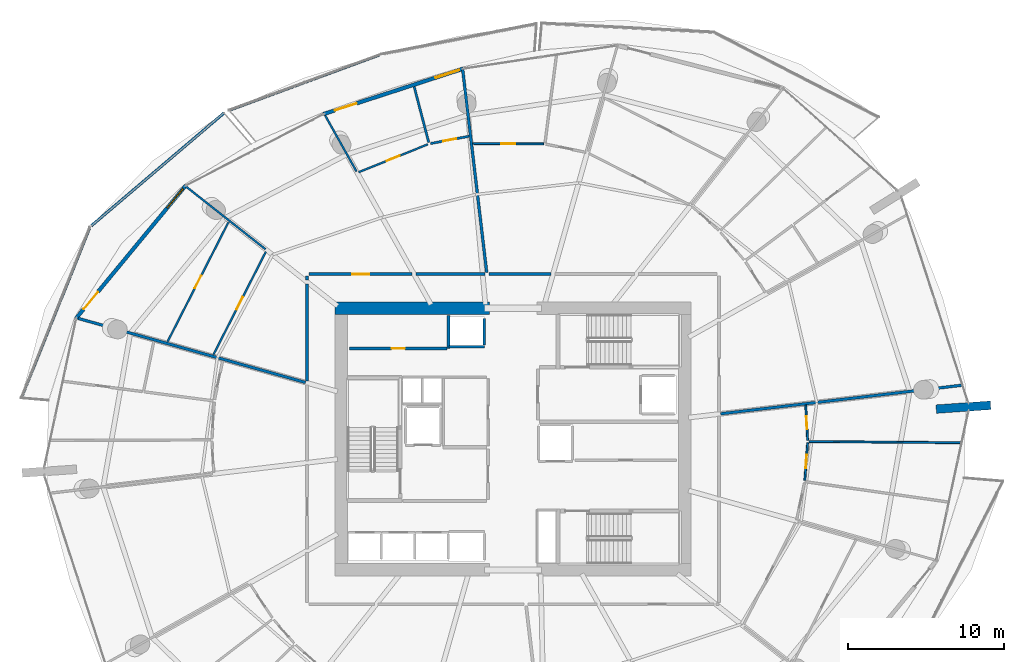
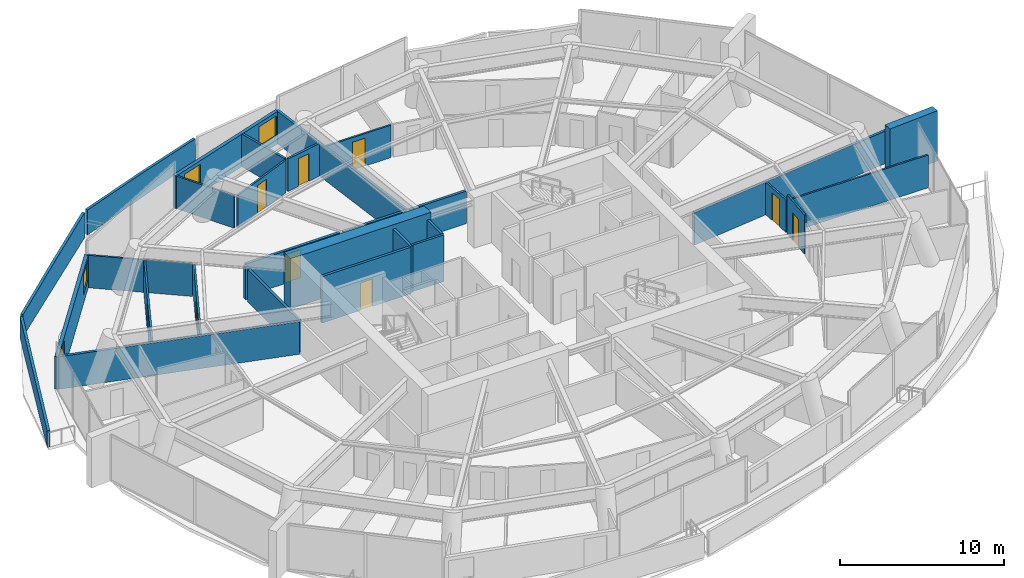
# One storey, part 14 of 23: 30 walls, 11 doors, 2 windows, 13 openings.
"""IFC4 building model written with IfcOpenShell, lengths in metres."""

from ifc_helpers import new_model, si_unit, direction, frame, frame_2d, origin, place, context, subcontext, project, spatial, polyline, rectangle, outline, extrude, material, layer, layer_set, type_object, element, fill, save


model = new_model("IFC4")

# Units and contexts
model_context = context("Model", 3, precision=1e-05, world=origin(), true_north=direction((0.0, 1.0)))
body_context = subcontext(model_context, "Body", "Model", "MODEL_VIEW")
ifc_project = project(units=[si_unit("LENGTHUNIT", "METRE"), si_unit("AREAUNIT", "SQUARE_METRE"), si_unit("VOLUMEUNIT", "CUBIC_METRE"), si_unit("PLANEANGLEUNIT", "RADIAN"), si_unit("MASSUNIT", "GRAM", prefix="KILO")], contexts=[model_context])

# Site, building, storey
site_placement = place(None, origin())
site = spatial("IfcSite", under=ifc_project, at=site_placement, CompositionType="ELEMENT")
building_placement = place(site_placement, origin())
building = spatial("IfcBuilding", under=site, at=building_placement, Name="Kazma Halo Residences", CompositionType="ELEMENT")
storey_placement = place(building_placement, frame((0.0, 0.0, 112.64990234375)))
storey = spatial("IfcBuildingStorey", under=building, at=storey_placement, Name="L28", CompositionType="ELEMENT", Elevation=112.64990234375)

# Walls
ifc_material_1 = material(Name="White Concrete C50/60 Balustrade", Category="concrete")
ifc_layer_1 = layer(ifc_material_1, 0.179931640625)
ifc_layer_set_1 = layer_set([ifc_layer_1], Name="White Concrete C50/60 Balustrade")
wall_type_1 = type_object("IfcWallType", Name="WL-BAL-WAVE-180", PredefinedType="PARAPET", material=ifc_layer_set_1)
wall_1_placement = place(storey_placement, frame((39.8525390625, 66.687255859375, 0.0), z_axis=(0.0, 0.0, 1.0), x_axis=(-0.938356460989, -0.345669136777, 0.0)))
element("IfcWall", 1, at=wall_1_placement, inside=storey, type_object=wall_type_1, Name="L28 white wave balustrade wall NNW.2", PredefinedType="PARAPET", context=body_context, shape_type="SweptSolid", body=[
    extrude(outline(polyline([(0.0, 0.0), (10.3076171875, 0.0), (10.3076171875, 1.860107421875), (5.15380859375, 1.798095703125), (0.0, 1.632080078125), (0.0, 0.0)])), frame((0.0, 0.08984375, 0.0), z_axis=(0.0, -1.0, 0.0), x_axis=(1.0, 0.0, 0.0)), (0.0, 0.0, 1.0), 0.179931640625),
])
wall_2_placement = place(storey_placement, frame((29.874267578125, 62.9619140625, 0.0), z_axis=(0.0, 0.0, 1.0), x_axis=(-0.761849488871, -0.647754086291, 0.0)))
element("IfcWall", 2, at=wall_2_placement, inside=storey, type_object=wall_type_1, Name="L28 white wave balustrade wall NW.1", PredefinedType="PARAPET", context=body_context, shape_type="SweptSolid", body=[
    extrude(outline(polyline([(0.0, 0.0), (11.19970703125, 0.0), (11.19970703125, 1.632080078125), (5.599853515625, 1.798095703125), (0.0, 1.860107421875), (0.0, 0.0)])), frame((0.0, 0.08984375, 0.0), z_axis=(0.0, -1.0, 0.0), x_axis=(1.0, 0.0, 0.0)), (0.0, 0.0, 1.0), 0.179931640625),
])
wall_3_placement = place(storey_placement, frame((21.205810546875, 55.518310546875, 0.0), z_axis=(0.0, 0.0, 1.0), x_axis=(-0.372543477275, -0.928014739937, 0.0)))
element("IfcWall", 3, at=wall_3_placement, inside=storey, type_object=wall_type_1, Name="L28 white wave balustrade wall NW.2", PredefinedType="PARAPET", context=body_context, shape_type="SweptSolid", body=[
    extrude(outline(polyline([(0.0, 0.0), (11.718017578125, 0.0), (11.7177734375, 1.233154296875), (5.85888671875, 1.418212890625), (0.0, 1.632080078125), (0.0, 0.0)])), frame((0.0, 0.08984375, 0.0), z_axis=(0.0, -1.0, 0.0), x_axis=(1.0, 0.0, 0.0)), (0.0, 0.0, 1.0), 0.179931640625),
])
ifc_material_2 = material(Name="Pale Concrete C60/75", Category="concrete")
ifc_layer_2 = layer(ifc_material_2, 0.550048828125)
ifc_layer_set_2 = layer_set([ifc_layer_2], Name="Pale Concrete C60/75")
wall_type_2 = type_object("IfcWallType", Name="WL-BLADE-550", PredefinedType="SOLIDWALL", material=ifc_layer_set_2)
wall_4_placement = place(storey_placement, frame((75.606201171875, 43.930419921875, 0.0), z_axis=(0.0, 0.0, 1.0), x_axis=(0.997564163539, 0.069754853754, 0.0)))
element("IfcWall", 4, at=wall_4_placement, inside=storey, type_object=wall_type_2, Name="L28 pale concrete structural blade fin wall BW-04", PredefinedType="SOLIDWALL", context=body_context, shape_type="SweptSolid", body=[
    extrude(rectangle(XDim=3.5, YDim=0.550048828125, at=frame_2d((1.75, 0.0))), origin(), (0.0, 0.0, 1.0), 3.75),
])
ifc_material_3 = material(Name="Concrete C80/95", Category="concrete")
ifc_layer_3 = layer(ifc_material_3, 0.800048828125)
ifc_layer_set_3 = layer_set([ifc_layer_3], Name="Concrete C80/95")
wall_type_3 = type_object("IfcWallType", Name="WL-CORE-800", PredefinedType="SHEAR", material=ifc_layer_set_3)
wall_5_placement = place(storey_placement, frame((37.0, 50.39990234375, 0.0), z_axis=(0.0, 0.0, 1.0), x_axis=(1.0, 0.0, 0.0)))
element("IfcWall", 5, at=wall_5_placement, inside=storey, type_object=wall_type_3, Name="L28 central core shear wall NW", PredefinedType="SHEAR", context=body_context, shape_type="SweptSolid", body=[
    extrude(rectangle(XDim=9.89990234375, YDim=0.800048828125, at=frame_2d((4.949951171875, 0.0))), origin(), (0.0, 0.0, 1.0), 3.75),
])
ifc_material_4 = material(Name="Acoustic Twin-Stud Gypsum")
ifc_layer_4 = layer(ifc_material_4, 0.179931640625)
ifc_layer_set_4 = layer_set([ifc_layer_4], Name="Acoustic Twin-Stud Gypsum")
wall_type_4 = type_object("IfcWallType", Name="WL-DEM-180", PredefinedType="PARTITIONING", material=ifc_layer_set_4)
wall_6_placement = place(storey_placement, frame((46.732421875, 52.709228515625, 0.0), z_axis=(0.0, 0.0, 1.0), x_axis=(-0.117532311618, 0.993069058891, 0.0)))
element("IfcWall", 6, at=wall_6_placement, inside=storey, type_object=wall_type_4, Name="L28 apartment demising radial wall 03", PredefinedType="PARTITIONING", context=body_context, shape_type="SweptSolid", body=[
    extrude(rectangle(XDim=13.138427734375, YDim=0.179931640625, at=frame_2d((6.5693359375, 0.0))), origin(), (0.0, 0.0, 1.0), 2.427001953125),
])
wall_7_placement = place(storey_placement, frame((35.093994140625, 45.639892578125, 0.0), z_axis=(0.0, 0.0, 1.0), x_axis=(-0.962454745894, 0.271442189251, 0.0)))
element("IfcWall", 7, at=wall_7_placement, inside=storey, type_object=wall_type_4, Name="L28 apartment demising radial wall 06", PredefinedType="PARTITIONING", context=body_context, shape_type="SweptSolid", body=[
    extrude(rectangle(XDim=15.16162109375, YDim=0.179931640625, at=frame_2d((7.580810546875, 0.0))), origin(), (0.0, 0.0, 1.0), 2.427001953125),
])
wall_8_placement = place(storey_placement, frame((61.75927734375, 43.62841796875, 0.0), z_axis=(0.0, 0.0, 1.0), x_axis=(0.99306822875, 0.117539325539, 0.0)))
element("IfcWall", 8, at=wall_8_placement, inside=storey, type_object=wall_type_4, Name="L28 apartment demising radial wall 15", PredefinedType="PARTITIONING", context=body_context, shape_type="SweptSolid", body=[
    extrude(rectangle(XDim=15.6240234375, YDim=0.179931640625, at=frame_2d((7.81201171875, 0.0))), origin(), (0.0, 0.0, 1.0), 2.427001953125),
])
wall_9_placement = place(storey_placement, frame((50.869384765625, 52.60009765625, 0.0), z_axis=(0.0, 0.0, 1.0), x_axis=(-1.0, 0.0, 0.0)))
element("IfcWall", 9, at=wall_9_placement, inside=storey, type_object=wall_type_4, Name="L28 Apartment 3 inner wall 2", PredefinedType="PARTITIONING", context=body_context, shape_type="SweptSolid", body=[
    extrude(rectangle(XDim=4.00390625, YDim=0.179931640625, at=frame_2d((2.001953125, 0.0))), origin(), (0.0, 0.0, 1.0), 2.427001953125),
])

# Wall, opening, door
wall_10_placement = place(storey_placement, frame((41.943603515625, 52.60009765625, 0.0), z_axis=(0.0, 0.0, 1.0), x_axis=(-1.0, 0.0, 0.0)))
wall_10 = element("IfcWall", 10, at=wall_10_placement, inside=storey, type_object=wall_type_4, Name="L28 Apartment 4 entrance corridor wall", PredefinedType="PARTITIONING", context=body_context, shape_type="SweptSolid", body=[
    extrude(rectangle(XDim=6.62353515625, YDim=0.179931640625, at=frame_2d((3.311767578125, 0.0))), origin(), (0.0, 0.0, 1.0), 2.427001953125),
])
opening_1_placement = place(wall_10_placement, frame((2.76171875, 0.0, 0.0)))
opening_1 = element("IfcOpeningElement", 11, at=opening_1_placement, cuts=wall_10, Name="Opening DA-1100", PredefinedType="OPENING", context=body_context, shape_type="SweptSolid", body=[
    extrude(rectangle(XDim=1.10009765625, YDim=2.10009765625, at=frame_2d((0.550048828125, 1.050048828125))), frame((0.0, 0.099853515625, 0.0), z_axis=(0.0, -1.0, 0.0), x_axis=(1.0, 0.0, 0.0)), (0.0, 0.0, 1.0), 0.199951171875),
])
ifc_material_5 = material(Name="Acoustic Walnut Fire Leaf")
door_type_1 = type_object("IfcDoorType", Name="DR-FD60-1100", OperationType="NOTDEFINED", PredefinedType="DOOR", material=ifc_material_5)
door_1_placement = place(opening_1_placement, origin())
door_1 = element("IfcDoor", 12, at=door_1_placement, inside=storey, type_object=door_type_1, Name="L28 Apartment 4 entrance fire door", OperationType="SINGLE_SWING_LEFT", OverallHeight=2.10009765625, OverallWidth=1.10009765625, PredefinedType="DOOR", context=body_context, shape_type="SweptSolid", body=[
    extrude(rectangle(XDim=1.10009765625, YDim=2.10009765625, at=frame_2d((0.550048828125, 1.050048828125))), frame((0.0, 0.02490234375, 0.0), z_axis=(0.0, -1.0, 0.0), x_axis=(1.0, 0.0, 0.0)), (0.0, 0.0, 1.0), 0.050048828125),
])
fill(opening_1, door_1)

# Walls
wall_11_placement = place(storey_placement, frame((35.199951171875, 52.47998046875, 0.0), z_axis=(0.0, 0.0, 1.0), x_axis=(0.0, -1.0, 0.0)))
element("IfcWall", 13, at=wall_11_placement, inside=storey, type_object=wall_type_4, Name="L28 Apartment 4 entrance corridor wall", PredefinedType="PARTITIONING", context=body_context, shape_type="SweptSolid", body=[
    extrude(rectangle(XDim=0.269287109375, YDim=0.179931640625, at=frame_2d((0.134765625, 0.0))), origin(), (0.0, 0.0, 1.0), 2.427001953125),
])
wall_12_placement = place(storey_placement, frame((46.62548828125, 52.60009765625, 0.0), z_axis=(0.0, 0.0, 1.0), x_axis=(-1.0, 0.0, 0.0)))
element("IfcWall", 14, at=wall_12_placement, inside=storey, type_object=wall_type_4, Name="L28 Apartment 4 inner wall 3", PredefinedType="PARTITIONING", context=body_context, shape_type="SweptSolid", body=[
    extrude(rectangle(XDim=4.44189453125, YDim=0.179931640625, at=frame_2d((2.220947265625, 0.0))), origin(), (0.0, 0.0, 1.0), 2.427001953125),
])
wall_13_placement = place(storey_placement, frame((35.199951171875, 51.970703125, 0.0), z_axis=(0.0, 0.0, 1.0), x_axis=(0.0, -1.0, 0.0)))
element("IfcWall", 15, at=wall_13_placement, inside=storey, type_object=wall_type_4, Name="L28 Apartment 4 inner wall 5", PredefinedType="PARTITIONING", context=body_context, shape_type="SweptSolid", body=[
    extrude(rectangle(XDim=6.24072265625, YDim=0.179931640625, at=frame_2d((3.120361328125, 0.0))), origin(), (0.0, 0.0, 1.0), 2.427001953125),
])

# Wall, openings, door, window
ifc_material_6 = material(Name="Insulated Pale-Metal Composite Wall")
ifc_layer_5 = layer(ifc_material_6, 0.239990234375)
ifc_layer_set_5 = layer_set([ifc_layer_5], Name="Insulated Pale-Metal Composite Wall")
wall_type_5 = type_object("IfcWallType", Name="WL-EXT-HOST-240", PredefinedType="SOLIDWALL", material=ifc_layer_set_5)
wall_14_placement = place(storey_placement, frame((45.23291015625, 65.797119140625, 0.0), z_axis=(0.0, 0.0, 1.0), x_axis=(-0.951052494852, -0.30902937083, 0.0)))
wall_14 = element("IfcWall", 16, at=wall_14_placement, inside=storey, type_object=wall_type_5, Name="L28 exterior terrace-access wall B04", PredefinedType="SOLIDWALL", context=body_context, shape_type="SweptSolid", body=[
    extrude(rectangle(XDim=9.44384765625, YDim=0.239990234375, at=frame_2d((4.721923828125, 0.0))), origin(), (0.0, 0.0, 1.0), 2.420166015625),
])
opening_2_placement = place(wall_14_placement, frame((7.223876953125, 0.0, 0.0)))
opening_2 = element("IfcOpeningElement", 17, at=opening_2_placement, cuts=wall_14, Name="Opening DTR-1600", PredefinedType="OPENING", context=body_context, shape_type="SweptSolid", body=[
    extrude(rectangle(XDim=1.449951171875, YDim=2.14990234375, at=frame_2d((0.72509765625, 1.074951171875))), frame((0.0, 0.1298828125, 0.0), z_axis=(0.0, -1.0, 0.0), x_axis=(1.0, 0.0, 0.0)), (0.0, 0.0, 1.0), 0.260009765625),
])
opening_3_placement = place(wall_14_placement, frame((0.280029296875, 0.0, 0.64990234375)))
opening_3 = element("IfcOpeningElement", 18, at=opening_3_placement, cuts=wall_14, Name="Opening W-1800", PredefinedType="OPENING", context=body_context, shape_type="SweptSolid", body=[
    extrude(rectangle(XDim=1.60009765625, YDim=1.5, at=frame_2d((0.800048828125, 0.75))), frame((0.0, 0.1298828125, 0.0), z_axis=(0.0, -1.0, 0.0), x_axis=(1.0, 0.0, 0.0)), (0.0, 0.0, 1.0), 0.260009765625),
])
ifc_material_7 = material(Name="Aluminium AW-6063 T6 Double-Glazed Terrace Door", Category="aluminium")
door_type_2 = type_object("IfcDoorType", Name="DR-EXT-TERR-1600", OperationType="NOTDEFINED", PredefinedType="DOOR", material=ifc_material_7)
door_2_placement = place(opening_2_placement, origin())
door_2 = element("IfcDoor", 19, at=door_2_placement, inside=storey, type_object=door_type_2, Name="L28 B04 balcony terrace door", OperationType="DOUBLE_DOOR_SLIDING", OverallHeight=2.14990234375, OverallWidth=1.449951171875, PredefinedType="DOOR", context=body_context, shape_type="SweptSolid", body=[
    extrude(rectangle(XDim=1.449951171875, YDim=2.14990234375, at=frame_2d((0.72509765625, 1.074951171875))), frame((0.0, 0.02490234375, 0.0), z_axis=(0.0, -1.0, 0.0), x_axis=(1.0, 0.0, 0.0)), (0.0, 0.0, 1.0), 0.050048828125),
])
fill(opening_2, door_2)
ifc_material_8 = material(Name="Clear Triple-Silver Low-E Glass in Aluminium AW-6063 T6 Frame", Category="aluminium")
window_type = type_object("IfcWindowType", Name="WIN-RES-1800", PartitioningType="DOUBLE_PANEL_VERTICAL", PredefinedType="WINDOW", material=ifc_material_8)
window_1_placement = place(opening_3_placement, origin())
window_1 = element("IfcWindow", 20, at=window_1_placement, inside=storey, type_object=window_type, Name="L28 B04 apartment window", OverallHeight=1.5, OverallWidth=1.60009765625, PartitioningType="SINGLE_PANEL", PredefinedType="WINDOW", context=body_context, shape_type="SweptSolid", body=[
    extrude(rectangle(XDim=1.60009765625, YDim=1.5, at=frame_2d((0.800048828125, 0.75))), frame((0.0, 0.030029296875, 0.0), z_axis=(0.0, -1.0, 0.0), x_axis=(1.0, 0.0, 0.0)), (0.0, 0.0, 1.0), 0.06005859375),
])
fill(opening_3, window_1)

wall_15_placement = place(storey_placement, frame((27.406982421875, 58.2978515625, 0.0), z_axis=(0.0, 0.0, 1.0), x_axis=(-0.636704975, -0.771107498868, 0.0)))
wall_15 = element("IfcWall", 21, at=wall_15_placement, inside=storey, type_object=wall_type_5, Name="L28 exterior terrace-access wall B06", PredefinedType="SOLIDWALL", context=body_context, shape_type="SweptSolid", body=[
    extrude(rectangle(XDim=11.084228515625, YDim=0.239990234375, at=frame_2d((5.5419921875, 0.0))), origin(), (0.0, 0.0, 1.0), 2.420166015625),
])
opening_4_placement = place(wall_15_placement, frame((8.8642578125, 0.0, 0.0)))
opening_4 = element("IfcOpeningElement", 22, at=opening_4_placement, cuts=wall_15, Name="Opening DTR-1600", PredefinedType="OPENING", context=body_context, shape_type="SweptSolid", body=[
    extrude(rectangle(XDim=1.449951171875, YDim=2.14990234375, at=frame_2d((0.72509765625, 1.074951171875))), frame((0.0, 0.1298828125, 0.0), z_axis=(0.0, -1.0, 0.0), x_axis=(1.0, 0.0, 0.0)), (0.0, 0.0, 1.0), 0.260009765625),
])
opening_5_placement = place(wall_15_placement, frame((0.280029296875, 0.0, 0.64990234375)))
opening_5 = element("IfcOpeningElement", 23, at=opening_5_placement, cuts=wall_15, Name="Opening W-1800", PredefinedType="OPENING", context=body_context, shape_type="SweptSolid", body=[
    extrude(rectangle(XDim=1.60009765625, YDim=1.5, at=frame_2d((0.800048828125, 0.75))), frame((0.0, 0.1298828125, 0.0), z_axis=(0.0, -1.0, 0.0), x_axis=(1.0, 0.0, 0.0)), (0.0, 0.0, 1.0), 0.260009765625),
])
door_3_placement = place(opening_4_placement, origin())
door_3 = element("IfcDoor", 24, at=door_3_placement, inside=storey, type_object=door_type_2, Name="L28 B06 balcony terrace door", OperationType="DOUBLE_DOOR_SLIDING", OverallHeight=2.14990234375, OverallWidth=1.449951171875, PredefinedType="DOOR", context=body_context, shape_type="SweptSolid", body=[
    extrude(rectangle(XDim=1.449951171875, YDim=2.14990234375, at=frame_2d((0.72509765625, 1.074951171875))), frame((0.0, 0.02490234375, 0.0), z_axis=(0.0, -1.0, 0.0), x_axis=(1.0, 0.0, 0.0)), (0.0, 0.0, 1.0), 0.050048828125),
])
fill(opening_4, door_3)
window_2_placement = place(opening_5_placement, origin())
window_2 = element("IfcWindow", 25, at=window_2_placement, inside=storey, type_object=window_type, Name="L28 B06 apartment window", OverallHeight=1.5, OverallWidth=1.60009765625, PartitioningType="SINGLE_PANEL", PredefinedType="WINDOW", context=body_context, shape_type="SweptSolid", body=[
    extrude(rectangle(XDim=1.60009765625, YDim=1.5, at=frame_2d((0.800048828125, 0.75))), frame((0.0, 0.030029296875, 0.0), z_axis=(0.0, -1.0, 0.0), x_axis=(1.0, 0.0, 0.0)), (0.0, 0.0, 1.0), 0.06005859375),
])
fill(opening_5, window_2)

# Walls
ifc_material_9 = material(Name="Fire-Rated Blockwork Masonry", Category="masonry")
ifc_layer_6 = layer(ifc_material_9, 0.199951171875)
ifc_layer_set_6 = layer_set([ifc_layer_6], Name="Fire-Rated Blockwork Masonry")
wall_type_6 = type_object("IfcWallType", Name="WL-FLB-200", PredefinedType="PARTITIONING", material=ifc_layer_set_6)
wall_16_placement = place(storey_placement, frame((46.580078125, 47.945068359375, 0.0), z_axis=(0.0, 0.0, 1.0), x_axis=(-1.0, 0.0, 0.0)))
element("IfcWall", 26, at=wall_16_placement, inside=storey, type_object=wall_type_6, Name="L28 lift shaft PX-01 front wall", PredefinedType="PARTITIONING", context=body_context, shape_type="SweptSolid", body=[
    extrude(rectangle(XDim=2.260009765625, YDim=0.159912109375, at=frame_2d((1.1298828125, 0.0))), origin(), (0.0, 0.0, 1.0), 3.47021484375),
])
wall_17_placement = place(storey_placement, frame((46.580078125, 48.044921875, 0.0), z_axis=(0.0, 0.0, 1.0), x_axis=(0.0, 1.0, 0.0)))
element("IfcWall", 27, at=wall_17_placement, inside=storey, type_object=wall_type_6, Name="L28 lift shaft PX-01 side wall E", PredefinedType="PARTITIONING", context=body_context, shape_type="SweptSolid", body=[
    extrude(rectangle(XDim=1.7099609375, YDim=0.159912109375, at=frame_2d((0.85498046875, 0.0))), origin(), (0.0, 0.0, 1.0), 3.47021484375),
])

# Wall, opening, door
wall_18_placement = place(storey_placement, frame((37.919921875, 47.820068359375, 0.0), z_axis=(0.0, 0.0, 1.0), x_axis=(1.0, 0.0, 0.0)))
wall_18 = element("IfcWall", 28, at=wall_18_placement, inside=storey, type_object=wall_type_6, Name="L28 core north reserve wall", PredefinedType="PARTITIONING", context=body_context, shape_type="SweptSolid", body=[
    extrude(rectangle(XDim=6.260009765625, YDim=0.179931640625, at=frame_2d((3.1298828125, 0.0))), origin(), (0.0, 0.0, 1.0), 3.47021484375),
])
opening_6_placement = place(wall_18_placement, frame((2.705078125, 0.0, 0.0)))
opening_6 = element("IfcOpeningElement", 29, at=opening_6_placement, cuts=wall_18, Name="Opening DS-850", PredefinedType="OPENING", context=body_context, shape_type="SweptSolid", body=[
    extrude(rectangle(XDim=0.85009765625, YDim=2.06005859375, at=frame_2d((0.425048828125, 1.030029296875))), frame((0.0, 0.099853515625, 0.0), z_axis=(0.0, -1.0, 0.0), x_axis=(1.0, 0.0, 0.0)), (0.0, 0.0, 1.0), 0.199951171875),
])
ifc_material_10 = material(Name="Painted Steel Access Leaf", Category="steel")
door_type_3 = type_object("IfcDoorType", Name="DR-SVC-850", OperationType="NOTDEFINED", PredefinedType="DOOR", material=ifc_material_10)
door_4_placement = place(opening_6_placement, origin())
door_4 = element("IfcDoor", 30, at=door_4_placement, inside=storey, type_object=door_type_3, Name="L28 core north reserve door", OperationType="SINGLE_SWING_RIGHT", OverallHeight=2.06005859375, OverallWidth=0.85009765625, PredefinedType="DOOR", context=body_context, shape_type="SweptSolid", body=[
    extrude(rectangle(XDim=0.85009765625, YDim=2.06005859375, at=frame_2d((0.425048828125, 1.030029296875))), frame((0.0, 0.02490234375, 0.0), z_axis=(0.0, -1.0, 0.0), x_axis=(1.0, 0.0, 0.0)), (0.0, 0.0, 1.0), 0.050048828125),
])
fill(opening_6, door_4)

# Walls
wall_19_placement = place(storey_placement, frame((44.280029296875, 47.820068359375, 0.0), z_axis=(0.0, 0.0, 1.0), x_axis=(0.0, 1.0, 0.0)))
element("IfcWall", 31, at=wall_19_placement, inside=storey, type_object=wall_type_6, Name="L28 PX-01 hoistway west wall", PredefinedType="PARTITIONING", context=body_context, shape_type="SweptSolid", body=[
    extrude(rectangle(XDim=2.1298828125, YDim=0.179931640625, at=frame_2d((1.06494140625, 0.0))), origin(), (0.0, 0.0, 1.0), 3.47021484375),
])
ifc_material_11 = material(Name="Gypsum Plasterboard Partition")
ifc_layer_7 = layer(ifc_material_11, 0.125)
ifc_layer_set_7 = layer_set([ifc_layer_7], Name="Gypsum Plasterboard Partition")
wall_type_7 = type_object("IfcWallType", Name="WL-PART-125", PredefinedType="PARTITIONING", material=ifc_layer_set_7)
wall_20_placement = place(storey_placement, frame((67.44140625, 41.847412109375, 0.0), z_axis=(0.0, 0.0, 1.0), x_axis=(0.999969041631, -0.007868657993, 0.0)))
element("IfcWall", 32, at=wall_20_placement, inside=storey, type_object=wall_type_7, Name="L28 Apartment 2 bay wall 2 14", PredefinedType="PARTITIONING", context=body_context, shape_type="SweptSolid", body=[
    extrude(rectangle(XDim=9.7734375, YDim=0.125, at=frame_2d((4.88671875, 0.0))), origin(), (0.0, 0.0, 1.0), 2.445068359375),
])

# Wall, opening, door
wall_21_placement = place(storey_placement, frame((67.164794921875, 39.35302734375, 0.0), z_axis=(0.0, 0.0, 1.0), x_axis=(0.074591980381, 0.997214137717, 0.0)))
wall_21 = element("IfcWall", 33, at=wall_21_placement, inside=storey, type_object=wall_type_7, Name="L28 Apartment 2 South Dressing Wardrobe hall wall", PredefinedType="PARTITIONING", context=body_context, shape_type="SweptSolid", body=[
    extrude(rectangle(XDim=2.422119140625, YDim=0.125, at=frame_2d((1.2109375, 0.0))), origin(), (0.0, 0.0, 1.0), 2.91015625),
])
opening_7_placement = place(wall_21_placement, frame((0.785888671875, 0.0, 0.0)))
opening_7 = element("IfcOpeningElement", 34, at=opening_7_placement, cuts=wall_21, Name="Opening DB-900", PredefinedType="OPENING", context=body_context, shape_type="SweptSolid", body=[
    extrude(rectangle(XDim=0.85009765625, YDim=2.06005859375, at=frame_2d((0.425048828125, 1.030029296875))), frame((0.0, 0.072509765625, 0.0), z_axis=(0.0, -1.0, 0.0), x_axis=(1.0, 0.0, 0.0)), (0.0, 0.0, 1.0), 0.14501953125),
])
ifc_material_12 = material(Name="Moisture-Sealed Timber Leaf", Category="wood")
door_type_4 = type_object("IfcDoorType", Name="DR-BTH-900", OperationType="NOTDEFINED", PredefinedType="DOOR", material=ifc_material_12)
door_5_placement = place(opening_7_placement, origin())
door_5 = element("IfcDoor", 35, at=door_5_placement, inside=storey, type_object=door_type_4, Name="L28 Apartment 2 South Dressing Wardrobe door", OperationType="SINGLE_SWING_LEFT", OverallHeight=2.06005859375, OverallWidth=0.85009765625, PredefinedType="DOOR", context=body_context, shape_type="SweptSolid", body=[
    extrude(rectangle(XDim=0.85009765625, YDim=2.06005859375, at=frame_2d((0.425048828125, 1.030029296875))), frame((0.0, 0.02490234375, 0.0), z_axis=(0.0, -1.0, 0.0), x_axis=(1.0, 0.0, 0.0)), (0.0, 0.0, 1.0), 0.050048828125),
])
fill(opening_7, door_5)

wall_22_placement = place(storey_placement, frame((67.346923828125, 41.927978515625, 0.0), z_axis=(0.0, 0.0, 1.0), x_axis=(-0.054850520712, 0.99849457704, 0.0)))
wall_22 = element("IfcWall", 36, at=wall_22_placement, inside=storey, type_object=wall_type_7, Name="L28 Apartment 2 Inner Bedroom hall wall", PredefinedType="PARTITIONING", context=body_context, shape_type="SweptSolid", body=[
    extrude(rectangle(XDim=2.27001953125, YDim=0.125, at=frame_2d((1.135009765625, 0.0))), origin(), (0.0, 0.0, 1.0), 2.427001953125),
])
opening_8_placement = place(wall_22_placement, frame((0.710205078125, 0.0, 0.0)))
opening_8 = element("IfcOpeningElement", 37, at=opening_8_placement, cuts=wall_22, Name="Opening DB-900", PredefinedType="OPENING", context=body_context, shape_type="SweptSolid", body=[
    extrude(rectangle(XDim=0.85009765625, YDim=2.06005859375, at=frame_2d((0.425048828125, 1.030029296875))), frame((0.0, 0.072509765625, 0.0), z_axis=(0.0, -1.0, 0.0), x_axis=(1.0, 0.0, 0.0)), (0.0, 0.0, 1.0), 0.14501953125),
])
door_6_placement = place(opening_8_placement, origin())
door_6 = element("IfcDoor", 38, at=door_6_placement, inside=storey, type_object=door_type_4, Name="L28 Apartment 2 Inner Bedroom door", OperationType="SINGLE_SWING_RIGHT", OverallHeight=2.06005859375, OverallWidth=0.85009765625, PredefinedType="DOOR", context=body_context, shape_type="SweptSolid", body=[
    extrude(rectangle(XDim=0.85009765625, YDim=2.06005859375, at=frame_2d((0.425048828125, 1.030029296875))), frame((0.0, 0.02490234375, 0.0), z_axis=(0.0, -1.0, 0.0), x_axis=(1.0, 0.0, 0.0)), (0.0, 0.0, 1.0), 0.050048828125),
])
fill(opening_8, door_6)

wall_23_placement = place(storey_placement, frame((50.39111328125, 60.962158203125, 0.0), z_axis=(0.0, 0.0, 1.0), x_axis=(-0.999982495953, 0.005916737914, 0.0)))
wall_23 = element("IfcWall", 39, at=wall_23_placement, inside=storey, type_object=wall_type_7, Name="L28 Apartment 3 West Bedroom hall wall", PredefinedType="PARTITIONING", context=body_context, shape_type="SweptSolid", body=[
    extrude(rectangle(XDim=4.538818359375, YDim=0.125, at=frame_2d((2.26953125, 0.0))), origin(), (0.0, 0.0, 1.0), 2.427001953125),
])
opening_9_placement = place(wall_23_placement, frame((1.8193359375, 0.0, 0.0)))
opening_9 = element("IfcOpeningElement", 40, at=opening_9_placement, cuts=wall_23, Name="Opening DI-950", PredefinedType="OPENING", context=body_context, shape_type="SweptSolid", body=[
    extrude(rectangle(XDim=0.89990234375, YDim=2.080078125, at=frame_2d((0.449951171875, 1.0400390625))), frame((0.0, 0.072509765625, 0.0), z_axis=(0.0, -1.0, 0.0), x_axis=(1.0, 0.0, 0.0)), (0.0, 0.0, 1.0), 0.14501953125),
])
ifc_material_13 = material(Name="Timber Veneer Flush Leaf", Category="wood")
door_type_5 = type_object("IfcDoorType", Name="DR-INT-950", OperationType="NOTDEFINED", PredefinedType="DOOR", material=ifc_material_13)
door_7_placement = place(opening_9_placement, origin())
door_7 = element("IfcDoor", 41, at=door_7_placement, inside=storey, type_object=door_type_5, Name="L28 Apartment 3 West Bedroom door", OperationType="SINGLE_SWING_RIGHT", OverallHeight=2.080078125, OverallWidth=0.89990234375, PredefinedType="DOOR", context=body_context, shape_type="SweptSolid", body=[
    extrude(rectangle(XDim=0.89990234375, YDim=2.080078125, at=frame_2d((0.449951171875, 1.0400390625))), frame((0.0, 0.02490234375, 0.0), z_axis=(0.0, -1.0, 0.0), x_axis=(1.0, 0.0, 0.0)), (0.0, 0.0, 1.0), 0.050048828125),
])
fill(opening_9, door_7)

# Wall
wall_24_placement = place(storey_placement, frame((38.36962890625, 59.196044921875, 0.0), z_axis=(0.0, 0.0, 1.0), x_axis=(-0.488603368932, 0.87250601595, 0.0)))
element("IfcWall", 42, at=wall_24_placement, inside=storey, type_object=wall_type_7, Name="L28 Apartment 4 living radial partition 3", PredefinedType="PARTITIONING", context=body_context, shape_type="SweptSolid", body=[
    extrude(rectangle(XDim=4.11328125, YDim=0.125, at=frame_2d((2.056640625, 0.0))), origin(), (0.0, 0.0, 1.0), 2.427001953125),
])

# Wall, opening, door
wall_25_placement = place(storey_placement, frame((42.950439453125, 60.93603515625, 0.0), z_axis=(0.0, 0.0, 1.0), x_axis=(-0.927456594122, -0.373930830529, 0.0)))
wall_25 = element("IfcWall", 43, at=wall_25_placement, inside=storey, type_object=wall_type_7, Name="L28 Apartment 4 Gourmet Kitchen hall wall", PredefinedType="PARTITIONING", context=body_context, shape_type="SweptSolid", body=[
    extrude(rectangle(XDim=4.786376953125, YDim=0.125, at=frame_2d((2.39306640625, 0.0))), origin(), (0.0, 0.0, 1.0), 2.427001953125),
])
opening_10_placement = place(wall_25_placement, frame((1.943115234375, 0.0, 0.0)))
opening_10 = element("IfcOpeningElement", 44, at=opening_10_placement, cuts=wall_25, Name="Opening DI-950", PredefinedType="OPENING", context=body_context, shape_type="SweptSolid", body=[
    extrude(rectangle(XDim=0.89990234375, YDim=2.080078125, at=frame_2d((0.449951171875, 1.0400390625))), frame((0.0, 0.072509765625, 0.0), z_axis=(0.0, -1.0, 0.0), x_axis=(1.0, 0.0, 0.0)), (0.0, 0.0, 1.0), 0.14501953125),
])
door_8_placement = place(opening_10_placement, origin())
door_8 = element("IfcDoor", 45, at=door_8_placement, inside=storey, type_object=door_type_5, Name="L28 Apartment 4 Gourmet Kitchen door", OperationType="SINGLE_SWING_RIGHT", OverallHeight=2.080078125, OverallWidth=0.89990234375, PredefinedType="DOOR", context=body_context, shape_type="SweptSolid", body=[
    extrude(rectangle(XDim=0.89990234375, YDim=2.080078125, at=frame_2d((0.449951171875, 1.0400390625))), frame((0.0, 0.02490234375, 0.0), z_axis=(0.0, -1.0, 0.0), x_axis=(1.0, 0.0, 0.0)), (0.0, 0.0, 1.0), 0.050048828125),
])
fill(opening_10, door_8)

# Wall
wall_26_placement = place(storey_placement, frame((32.522216796875, 54.20166015625, 0.0), z_axis=(0.0, 0.0, 1.0), x_axis=(-0.785296086335, 0.619120389574, 0.0)))
element("IfcWall", 46, at=wall_26_placement, inside=storey, type_object=wall_type_7, Name="L28 Apartment 4 radial partition 5", PredefinedType="PARTITIONING", context=body_context, shape_type="SweptSolid", body=[
    extrude(rectangle(XDim=6.529052734375, YDim=0.125, at=frame_2d((3.2646484375, 0.0))), origin(), (0.0, 0.0, 1.0), 2.427001953125),
])

# Wall, opening, door
wall_27_placement = place(storey_placement, frame((32.55078125, 54.041748046875, 0.0), z_axis=(0.0, 0.0, 1.0), x_axis=(-0.45400796994, -0.890997622461, 0.0)))
wall_27 = element("IfcWall", 47, at=wall_27_placement, inside=storey, type_object=wall_type_7, Name="L28 Apartment 4 East Study hall wall", PredefinedType="PARTITIONING", context=body_context, shape_type="SweptSolid", body=[
    extrude(rectangle(XDim=7.43115234375, YDim=0.125, at=frame_2d((3.715576171875, 0.0))), origin(), (0.0, 0.0, 1.0), 2.427001953125),
])
opening_11_placement = place(wall_27_placement, frame((3.265380859375, 0.0, 0.0)))
opening_11 = element("IfcOpeningElement", 48, at=opening_11_placement, cuts=wall_27, Name="Opening DI-950", PredefinedType="OPENING", context=body_context, shape_type="SweptSolid", body=[
    extrude(rectangle(XDim=0.89990234375, YDim=2.080078125, at=frame_2d((0.449951171875, 1.0400390625))), frame((0.0, 0.072509765625, 0.0), z_axis=(0.0, -1.0, 0.0), x_axis=(1.0, 0.0, 0.0)), (0.0, 0.0, 1.0), 0.14501953125),
])
door_9_placement = place(opening_11_placement, origin())
door_9 = element("IfcDoor", 49, at=door_9_placement, inside=storey, type_object=door_type_5, Name="L28 Apartment 4 East Study door", OperationType="SINGLE_SWING_RIGHT", OverallHeight=2.080078125, OverallWidth=0.89990234375, PredefinedType="DOOR", context=body_context, shape_type="SweptSolid", body=[
    extrude(rectangle(XDim=0.89990234375, YDim=2.080078125, at=frame_2d((0.449951171875, 1.0400390625))), frame((0.0, 0.02490234375, 0.0), z_axis=(0.0, -1.0, 0.0), x_axis=(1.0, 0.0, 0.0)), (0.0, 0.0, 1.0), 0.050048828125),
])
fill(opening_11, door_9)

wall_28_placement = place(storey_placement, frame((30.146240234375, 55.9375, 0.0), z_axis=(0.0, 0.0, 1.0), x_axis=(-0.454004640198, -0.890999319124, 0.0)))
wall_28 = element("IfcWall", 50, at=wall_28_placement, inside=storey, type_object=wall_type_7, Name="L28 Apartment 4 West Master Bedroom divider wall", PredefinedType="PARTITIONING", context=body_context, shape_type="SweptSolid", body=[
    extrude(rectangle(XDim=8.6259765625, YDim=0.125, at=frame_2d((4.31298828125, 0.0))), origin(), (0.0, 0.0, 1.0), 2.427001953125),
])
opening_12_placement = place(wall_28_placement, frame((3.86279296875, 0.0, 0.0)))
opening_12 = element("IfcOpeningElement", 51, at=opening_12_placement, cuts=wall_28, Name="Opening DI-950", PredefinedType="OPENING", context=body_context, shape_type="SweptSolid", body=[
    extrude(rectangle(XDim=0.89990234375, YDim=2.080078125, at=frame_2d((0.449951171875, 1.0400390625))), frame((0.0, 0.072509765625, 0.0), z_axis=(0.0, -1.0, 0.0), x_axis=(1.0, 0.0, 0.0)), (0.0, 0.0, 1.0), 0.14501953125),
])
door_10_placement = place(opening_12_placement, origin())
door_10 = element("IfcDoor", 52, at=door_10_placement, inside=storey, type_object=door_type_5, Name="L28 Apartment 4 West Master Bedroom door", OperationType="SINGLE_SWING_LEFT", OverallHeight=2.080078125, OverallWidth=0.89990234375, PredefinedType="DOOR", context=body_context, shape_type="SweptSolid", body=[
    extrude(rectangle(XDim=0.89990234375, YDim=2.080078125, at=frame_2d((0.449951171875, 1.0400390625))), frame((0.0, 0.02490234375, 0.0), z_axis=(0.0, -1.0, 0.0), x_axis=(1.0, 0.0, 0.0)), (0.0, 0.0, 1.0), 0.050048828125),
])
fill(opening_12, door_10)

ifc_material_14 = material(Name="Moisture-Resistant Gypsum")
ifc_layer_8 = layer(ifc_material_14, 0.14990234375)
ifc_layer_set_8 = layer_set([ifc_layer_8], Name="Moisture-Resistant Gypsum")
wall_type_8 = type_object("IfcWallType", Name="WL-WET-150", PredefinedType="PARTITIONING", material=ifc_layer_set_8)
wall_29_placement = place(storey_placement, frame((45.596923828125, 61.45458984375, 0.0), z_axis=(0.0, 0.0, 1.0), x_axis=(-0.982581250532, -0.18583349026, 0.0)))
wall_29 = element("IfcWall", 53, at=wall_29_placement, inside=storey, type_object=wall_type_8, Name="L28 Apartment 4 Guest Bathroom hall wall", PredefinedType="PARTITIONING", context=body_context, shape_type="SweptSolid", body=[
    extrude(rectangle(XDim=2.5185546875, YDim=0.14990234375, at=frame_2d((1.25927734375, 0.0))), origin(), (0.0, 0.0, 1.0), 2.427001953125),
])
opening_13_placement = place(wall_29_placement, frame((0.834228515625, 0.0, 0.0)))
opening_13 = element("IfcOpeningElement", 54, at=opening_13_placement, cuts=wall_29, Name="Opening DB-900", PredefinedType="OPENING", context=body_context, shape_type="SweptSolid", body=[
    extrude(rectangle(XDim=0.85009765625, YDim=2.06005859375, at=frame_2d((0.425048828125, 1.030029296875))), frame((0.0, 0.0849609375, 0.0), z_axis=(0.0, -1.0, 0.0), x_axis=(1.0, 0.0, 0.0)), (0.0, 0.0, 1.0), 0.169921875),
])
door_11_placement = place(opening_13_placement, origin())
door_11 = element("IfcDoor", 55, at=door_11_placement, inside=storey, type_object=door_type_4, Name="L28 Apartment 4 Guest Bathroom door", OperationType="SINGLE_SWING_RIGHT", OverallHeight=2.06005859375, OverallWidth=0.85009765625, PredefinedType="DOOR", context=body_context, shape_type="SweptSolid", body=[
    extrude(rectangle(XDim=0.85009765625, YDim=2.06005859375, at=frame_2d((0.425048828125, 1.030029296875))), frame((0.0, 0.02490234375, 0.0), z_axis=(0.0, -1.0, 0.0), x_axis=(1.0, 0.0, 0.0)), (0.0, 0.0, 1.0), 0.050048828125),
])
fill(opening_13, door_11)

# Wall
wall_30_placement = place(storey_placement, frame((43.01123046875, 61.056884765625, 0.0), z_axis=(0.0, 0.0, 1.0), x_axis=(-0.2532403996, 0.967403380194, 0.0)))
element("IfcWall", 56, at=wall_30_placement, inside=storey, type_object=wall_type_8, Name="L28 Apartment 4 Guest Bathroom side wall", PredefinedType="PARTITIONING", context=body_context, shape_type="SweptSolid", body=[
    extrude(rectangle(XDim=3.702880859375, YDim=0.14990234375, at=frame_2d((1.8515625, 0.0))), origin(), (0.0, 0.0, 1.0), 2.445068359375),
])

save(model, "model.ifc")
